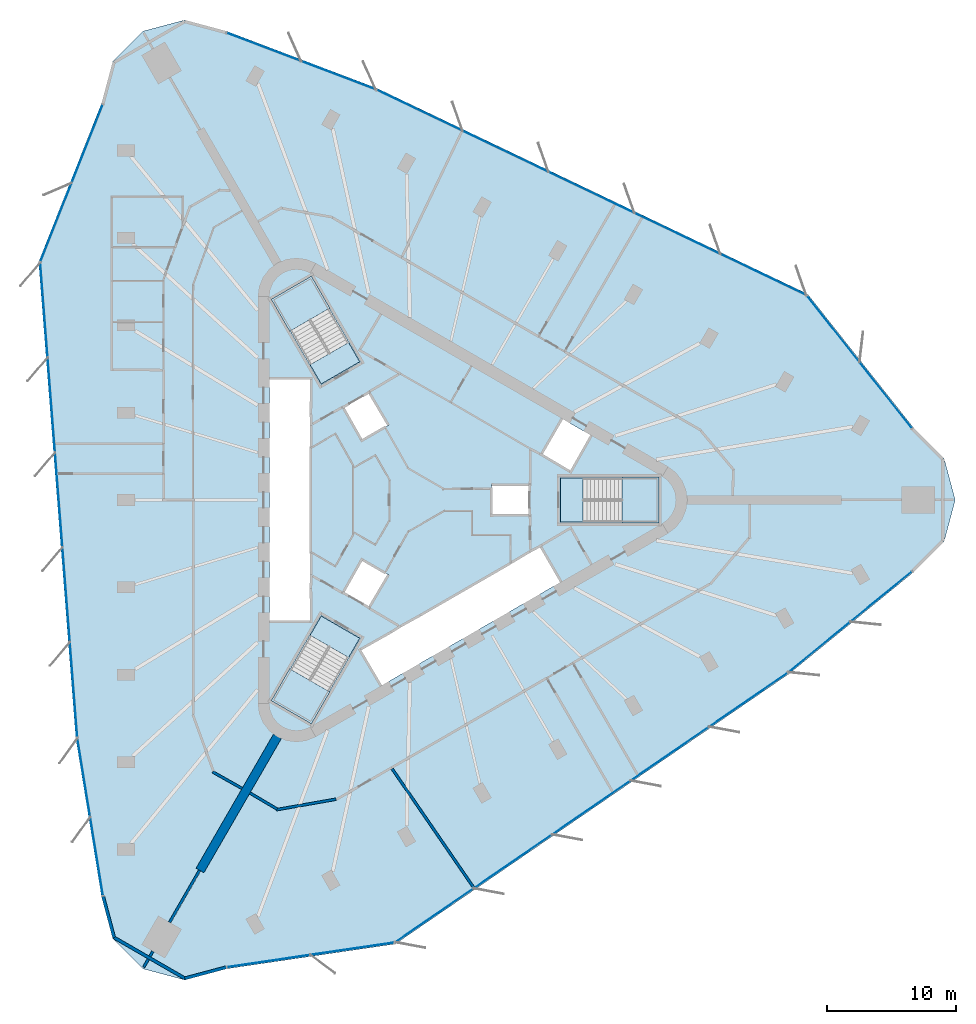
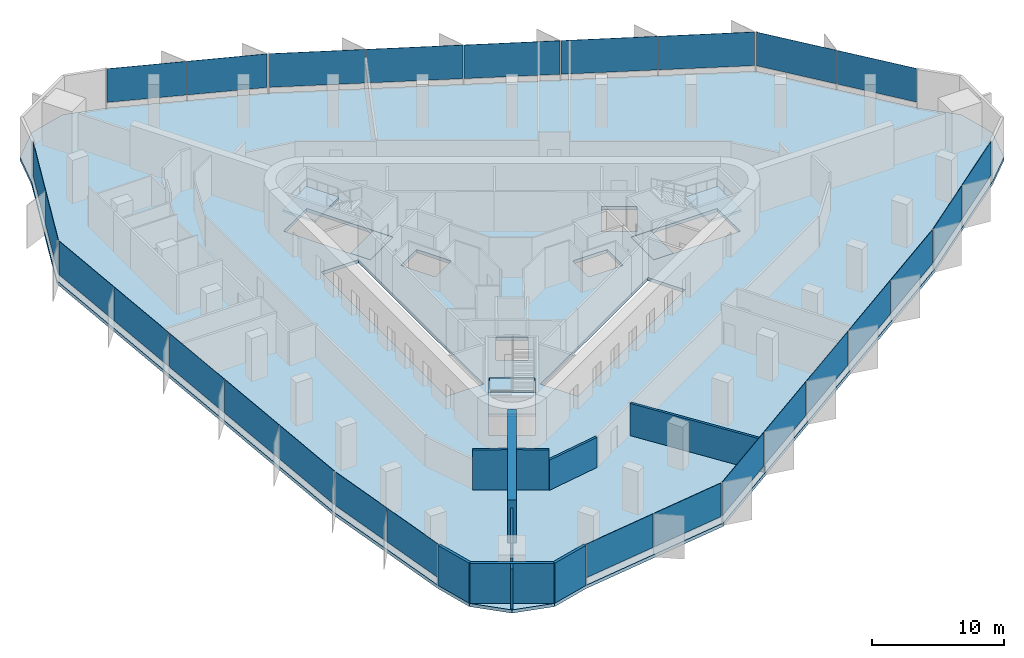
# One storey, part 7 of 13: 27 plates, 11 walls, 7 slabs, 12 elements without a shape of their own.
"""IFC4 building model written with IfcOpenShell, lengths in metres."""

from ifc_helpers import new_model, si_unit, direction, frame, frame_2d, origin, origin_2d, place, context, subcontext, project, spatial, polyline, rectangle, outline, extrude, material, layer, layer_set, type_object, element, aggregate, save


model = new_model("IFC4")

# Units and contexts
model_context = context("Model", 3, precision=1e-05, world=origin(), true_north=direction((0.0, 1.0)))
body_context = subcontext(model_context, "Body", "Model", "MODEL_VIEW")
ifc_project = project(units=[si_unit("LENGTHUNIT", "METRE"), si_unit("AREAUNIT", "SQUARE_METRE"), si_unit("VOLUMEUNIT", "CUBIC_METRE"), si_unit("PLANEANGLEUNIT", "RADIAN"), si_unit("MASSUNIT", "GRAM", prefix="KILO")], contexts=[model_context])

# Site, building, storey
site_placement = place(None, origin())
site = spatial("IfcSite", under=ifc_project, at=site_placement, CompositionType="ELEMENT")
building_placement = place(site_placement, origin())
building = spatial("IfcBuilding", under=site, at=building_placement, Name="Tanit Gate Tower", CompositionType="ELEMENT")
storey_placement = place(building_placement, frame((0.0, 0.0, 201.199951171875)))
storey = spatial("IfcBuildingStorey", under=building, at=storey_placement, Name="L44", CompositionType="ELEMENT", Elevation=201.199951171875)

# Slab
ifc_material_1 = material(Name="Concrete C35/45", Category="concrete")
ifc_layer_1 = layer(ifc_material_1, 0.300048828125)
ifc_layer_set_1 = layer_set([ifc_layer_1], Name="FLOOR SLAB 300 C35/45")
slab_type_1 = type_object("IfcSlabType", Name="FLOOR SLAB 300 C35/45", PredefinedType="FLOOR", material=ifc_layer_set_1)
slab_1_placement = place(storey_placement, frame((0.0, 0.0, -0.300048828125)))
element("IfcSlab", 1, at=slab_1_placement, inside=storey, type_object=slab_type_1, Name="FLOOR SLAB L44", PredefinedType="FLOOR", context=body_context, shape_type="SweptSolid", body=[
    extrude(outline(polyline([(38.729248046875, 5.590087890625), (41.091796875, 3.2275390625), (41.956787109375, 0.0), (41.091796875, -3.2275390625), (38.729248046875, -5.590087890625), (29.077392578125, -13.468994140625), (-1.43408203125, -34.410888671875), (-14.5234375, -36.335693359375), (-17.7509765625, -37.200439453125), (-20.978515625, -36.335693359375), (-23.341064453125, -33.972900390625), (-24.205810546875, -30.745361328125), (-26.202880859375, -18.447265625), (-29.08349609375, 18.447265625), (-24.205810546875, 30.745361328125), (-23.341064453125, 33.972900390625), (-20.978515625, 36.335693359375), (-17.7509765625, 37.200439453125), (-14.5234375, 36.335693359375), (-2.874267578125, 31.916015625), (30.517578125, 15.96337890625), (38.729248046875, 5.590087890625)]), holes=[polyline([(11.3701171875, 1.72998046875), (18.929931640625, 1.72998046875), (18.929931640625, -1.72998046875), (11.3701171875, -1.72998046875), (11.3701171875, 1.72998046875)]), polyline([(9.82080078125, 3.510009765625), (11.44580078125, 6.324462890625), (13.783935546875, 4.974609375), (12.158935546875, 2.159912109375), (9.82080078125, 3.510009765625)]), polyline([(-4.208984375, -11.60986328125), (9.82080078125, -3.510009765625), (11.44580078125, -6.324462890625), (-2.583984375, -14.424560546875), (-4.208984375, -11.60986328125)]), polyline([(6.0, 1.199951171875), (9.0, 1.199951171875), (9.0, -1.199951171875), (6.0, -1.199951171875), (6.0, 1.199951171875)]), polyline([(-5.539306640625, 7.194091796875), (-3.460693359375, 8.394287109375), (-1.960693359375, 5.796142578125), (-4.039306640625, 4.59619140625), (-5.539306640625, 7.194091796875)]), polyline([(-1.960693359375, -5.796142578125), (-3.460693359375, -8.394287109375), (-5.539306640625, -7.194091796875), (-4.039306640625, -4.59619140625), (-1.960693359375, -5.796142578125)]), polyline([(-10.963134765625, 15.52880859375), (-7.966796875, 17.2587890625), (-4.186767578125, 10.711669921875), (-7.18310546875, 8.981689453125), (-10.963134765625, 15.52880859375)]), polyline([(-4.186767578125, -10.711669921875), (-7.966796875, -17.2587890625), (-10.963134765625, -15.52880859375), (-7.18310546875, -8.981689453125), (-4.186767578125, -10.711669921875)]), polyline([(-11.199951171875, -9.449951171875), (-11.199951171875, 9.449951171875), (-7.949951171875, 9.449951171875), (-7.949951171875, -9.449951171875), (-11.199951171875, -9.449951171875)])]), origin(), (0.0, 0.0, 1.0), 0.300048828125),
])

# Curtain wall, plates
ifc_material_2 = material(Name="Aluminium bronze anodised and glass", Category="aluminium")
curtain_wall_type = type_object("IfcCurtainWallType", Name="Curtain wall typical mid", PredefinedType="NOTDEFINED", material=ifc_material_2)
curtain_wall_1_placement = place(storey_placement, origin())
curtain_wall_1 = element("IfcCurtainWall", 2, at=curtain_wall_1_placement, inside=storey, type_object=curtain_wall_type, Name="Curtain wall L44 NE1", PredefinedType="NOTDEFINED")
ifc_material_3 = material(Name="Glass tinted", Category="glass")
ifc_layer_2 = layer(ifc_material_3, 0.030029296875)
ifc_layer_set_2 = layer_set([ifc_layer_2], Name="Glass panel 30 typical mid")
plate_type = type_object("IfcPlateType", Name="Glass panel 30 typical mid", PredefinedType="CURTAIN_PANEL", material=ifc_layer_set_2)
plate_1_placement = place(storey_placement, frame((36.577392578125, 8.115234375, 0.60009765625), z_axis=(0.0, 0.0, 1.0), x_axis=(-0.620674676838, 0.784068202092, 0.0)))
plate_1 = element("IfcPlate", 3, at=plate_1_placement, type_object=plate_type, Name="Glass panel L44 NE1.1", PredefinedType="CURTAIN_PANEL", context=body_context, shape_type="SweptSolid", body=[
    extrude(rectangle(XDim=6.484619140625, YDim=0.030029296875, at=origin_2d()), origin(), (0.0, 0.0, 1.0), 3.10009765625),
])
plate_2_placement = place(storey_placement, frame((32.5029296875, 13.26220703125, 0.60009765625), z_axis=(0.0, 0.0, 1.0), x_axis=(-0.620674676838, 0.784068202092, 0.0)))
plate_2 = element("IfcPlate", 4, at=plate_2_placement, type_object=plate_type, Name="Glass panel L44 NE1.2", PredefinedType="CURTAIN_PANEL", context=body_context, shape_type="SweptSolid", body=[
    extrude(rectangle(XDim=6.484619140625, YDim=0.030029296875, at=origin_2d()), origin(), (0.0, 0.0, 1.0), 3.10009765625),
])
aggregate(curtain_wall_1, [plate_1, plate_2])

curtain_wall_2_placement = place(storey_placement, origin())
curtain_wall_2 = element("IfcCurtainWall", 5, at=curtain_wall_2_placement, inside=storey, type_object=curtain_wall_type, Name="Curtain wall L44 NE2", PredefinedType="NOTDEFINED")
plate_3_placement = place(storey_placement, frame((27.07568359375, 17.474853515625, 0.60009765625), z_axis=(0.0, 0.0, 1.0), x_axis=(-0.902317145415, 0.431072811819, 0.0)))
plate_3 = element("IfcPlate", 6, at=plate_3_placement, type_object=plate_type, Name="Glass panel L44 NE2.1", PredefinedType="CURTAIN_PANEL", context=body_context, shape_type="SweptSolid", body=[
    extrude(rectangle(XDim=7.298828125, YDim=0.030029296875, at=origin_2d()), origin(), (0.0, 0.0, 1.0), 3.10009765625),
])
plate_4_placement = place(storey_placement, frame((20.417724609375, 20.65576171875, 0.60009765625), z_axis=(0.0, 0.0, 1.0), x_axis=(-0.902317145415, 0.431072811819, 0.0)))
plate_4 = element("IfcPlate", 7, at=plate_4_placement, type_object=plate_type, Name="Glass panel L44 NE2.2", PredefinedType="CURTAIN_PANEL", context=body_context, shape_type="SweptSolid", body=[
    extrude(rectangle(XDim=7.298828125, YDim=0.030029296875, at=origin_2d()), origin(), (0.0, 0.0, 1.0), 3.10009765625),
])
plate_5_placement = place(storey_placement, frame((13.759521484375, 23.83642578125, 0.60009765625), z_axis=(0.0, 0.0, 1.0), x_axis=(-0.902317145415, 0.431072811819, 0.0)))
plate_5 = element("IfcPlate", 8, at=plate_5_placement, type_object=plate_type, Name="Glass panel L44 NE2.3", PredefinedType="CURTAIN_PANEL", context=body_context, shape_type="SweptSolid", body=[
    extrude(rectangle(XDim=7.298828125, YDim=0.030029296875, at=origin_2d()), origin(), (0.0, 0.0, 1.0), 3.10009765625),
])
plate_6_placement = place(storey_placement, frame((7.1015625, 27.017333984375, 0.60009765625), z_axis=(0.0, 0.0, 1.0), x_axis=(-0.902317145415, 0.431072811819, 0.0)))
plate_6 = element("IfcPlate", 9, at=plate_6_placement, type_object=plate_type, Name="Glass panel L44 NE2.4", PredefinedType="CURTAIN_PANEL", context=body_context, shape_type="SweptSolid", body=[
    extrude(rectangle(XDim=7.298828125, YDim=0.030029296875, at=origin_2d()), origin(), (0.0, 0.0, 1.0), 3.10009765625),
])
plate_7_placement = place(storey_placement, frame((0.443603515625, 30.197998046875, 0.60009765625), z_axis=(0.0, 0.0, 1.0), x_axis=(-0.902317145415, 0.431072811819, 0.0)))
plate_7 = element("IfcPlate", 10, at=plate_7_placement, type_object=plate_type, Name="Glass panel L44 NE2.5", PredefinedType="CURTAIN_PANEL", context=body_context, shape_type="SweptSolid", body=[
    extrude(rectangle(XDim=7.298828125, YDim=0.030029296875, at=origin_2d()), origin(), (0.0, 0.0, 1.0), 3.10009765625),
])
aggregate(curtain_wall_2, [plate_3, plate_4, plate_5, plate_6, plate_7])

curtain_wall_3_placement = place(storey_placement, origin())
curtain_wall_3 = element("IfcCurtainWall", 11, at=curtain_wall_3_placement, inside=storey, type_object=curtain_wall_type, Name="Curtain wall L44 NE3", PredefinedType="NOTDEFINED")
plate_8_placement = place(storey_placement, frame((-5.849853515625, 32.916748046875, 0.60009765625), z_axis=(0.0, 0.0, 1.0), x_axis=(-0.934976215335, 0.35471041253, 0.0)))
plate_8 = element("IfcPlate", 12, at=plate_8_placement, type_object=plate_type, Name="Glass panel L44 NE3.1", PredefinedType="CURTAIN_PANEL", context=body_context, shape_type="SweptSolid", body=[
    extrude(rectangle(XDim=6.10400390625, YDim=0.030029296875, at=origin_2d()), origin(), (0.0, 0.0, 1.0), 3.10009765625),
])
plate_9_placement = place(storey_placement, frame((-11.6318359375, 35.1103515625, 0.60009765625), z_axis=(0.0, 0.0, 1.0), x_axis=(-0.934976215335, 0.35471041253, 0.0)))
plate_9 = element("IfcPlate", 13, at=plate_9_placement, type_object=plate_type, Name="Glass panel L44 NE3.2", PredefinedType="CURTAIN_PANEL", context=body_context, shape_type="SweptSolid", body=[
    extrude(rectangle(XDim=6.10400390625, YDim=0.030029296875, at=origin_2d()), origin(), (0.0, 0.0, 1.0), 3.10009765625),
])
aggregate(curtain_wall_3, [plate_8, plate_9])

curtain_wall_4_placement = place(storey_placement, origin())
curtain_wall_4 = element("IfcCurtainWall", 14, at=curtain_wall_4_placement, inside=storey, type_object=curtain_wall_type, Name="Curtain wall L44 W1", PredefinedType="NOTDEFINED")
plate_10_placement = place(storey_placement, frame((-25.316650390625, 27.619384765625, 0.60009765625), z_axis=(0.0, 0.0, 1.0), x_axis=(-0.368685642892, -0.929554138674, 0.0)))
plate_10 = element("IfcPlate", 15, at=plate_10_placement, type_object=plate_type, Name="Glass panel L44 W1.1", PredefinedType="CURTAIN_PANEL", context=body_context, shape_type="SweptSolid", body=[
    extrude(rectangle(XDim=6.484619140625, YDim=0.030029296875, at=origin_2d()), origin(), (0.0, 0.0, 1.0), 3.10009765625),
])
plate_11_placement = place(storey_placement, frame((-27.73681640625, 21.51708984375, 0.60009765625), z_axis=(0.0, 0.0, 1.0), x_axis=(-0.368685642892, -0.929554138674, 0.0)))
plate_11 = element("IfcPlate", 16, at=plate_11_placement, type_object=plate_type, Name="Glass panel L44 W1.2", PredefinedType="CURTAIN_PANEL", context=body_context, shape_type="SweptSolid", body=[
    extrude(rectangle(XDim=6.484619140625, YDim=0.030029296875, at=origin_2d()), origin(), (0.0, 0.0, 1.0), 3.10009765625),
])
aggregate(curtain_wall_4, [plate_10, plate_11])

curtain_wall_5_placement = place(storey_placement, origin())
curtain_wall_5 = element("IfcCurtainWall", 17, at=curtain_wall_5_placement, inside=storey, type_object=curtain_wall_type, Name="Curtain wall L44 W2", PredefinedType="NOTDEFINED")
plate_12_placement = place(storey_placement, frame((-28.67138671875, 14.710693359375, 0.60009765625), z_axis=(0.0, 0.0, 1.0), x_axis=(0.077838566791, -0.996965976109, 0.0)))
plate_12 = element("IfcPlate", 18, at=plate_12_placement, type_object=plate_type, Name="Glass panel L44 W2.1", PredefinedType="CURTAIN_PANEL", context=body_context, shape_type="SweptSolid", body=[
    extrude(rectangle(XDim=7.298828125, YDim=0.030029296875, at=origin_2d()), origin(), (0.0, 0.0, 1.0), 3.10009765625),
])
plate_13_placement = place(storey_placement, frame((-28.09716796875, 7.354248046875, 0.60009765625), z_axis=(0.0, 0.0, 1.0), x_axis=(0.077838566791, -0.996965976109, 0.0)))
plate_13 = element("IfcPlate", 19, at=plate_13_placement, type_object=plate_type, Name="Glass panel L44 W2.2", PredefinedType="CURTAIN_PANEL", context=body_context, shape_type="SweptSolid", body=[
    extrude(rectangle(XDim=7.298828125, YDim=0.030029296875, at=origin_2d()), origin(), (0.0, 0.0, 1.0), 3.10009765625),
])
plate_14_placement = place(storey_placement, frame((-27.522705078125, -0.001953125, 0.60009765625), z_axis=(0.0, 0.0, 1.0), x_axis=(0.077838566791, -0.996965976109, 0.0)))
plate_14 = element("IfcPlate", 20, at=plate_14_placement, type_object=plate_type, Name="Glass panel L44 W2.3", PredefinedType="CURTAIN_PANEL", context=body_context, shape_type="SweptSolid", body=[
    extrude(rectangle(XDim=7.298828125, YDim=0.030029296875, at=origin_2d()), origin(), (0.0, 0.0, 1.0), 3.10009765625),
])
plate_15_placement = place(storey_placement, frame((-26.948486328125, -7.3583984375, 0.60009765625), z_axis=(0.0, 0.0, 1.0), x_axis=(0.077838566791, -0.996965976109, 0.0)))
plate_15 = element("IfcPlate", 21, at=plate_15_placement, type_object=plate_type, Name="Glass panel L44 W2.4", PredefinedType="CURTAIN_PANEL", context=body_context, shape_type="SweptSolid", body=[
    extrude(rectangle(XDim=7.298828125, YDim=0.030029296875, at=origin_2d()), origin(), (0.0, 0.0, 1.0), 3.10009765625),
])
plate_16_placement = place(storey_placement, frame((-26.3740234375, -14.71484375, 0.60009765625), z_axis=(0.0, 0.0, 1.0), x_axis=(0.077838566791, -0.996965976109, 0.0)))
plate_16 = element("IfcPlate", 22, at=plate_16_placement, type_object=plate_type, Name="Glass panel L44 W2.5", PredefinedType="CURTAIN_PANEL", context=body_context, shape_type="SweptSolid", body=[
    extrude(rectangle(XDim=7.298828125, YDim=0.030029296875, at=origin_2d()), origin(), (0.0, 0.0, 1.0), 3.10009765625),
])
aggregate(curtain_wall_5, [plate_12, plate_13, plate_14, plate_15, plate_16])

curtain_wall_6_placement = place(storey_placement, origin())
curtain_wall_6 = element("IfcCurtainWall", 23, at=curtain_wall_6_placement, inside=storey, type_object=curtain_wall_type, Name="Curtain wall L44 W3", PredefinedType="NOTDEFINED")
plate_17_placement = place(storey_placement, frame((-25.581787109375, -21.5244140625, 0.60009765625), z_axis=(0.0, 0.0, 1.0), x_axis=(0.16029987943, -0.98706836068, 0.0)))
plate_17 = element("IfcPlate", 24, at=plate_17_placement, type_object=plate_type, Name="Glass panel L44 W3.1", PredefinedType="CURTAIN_PANEL", context=body_context, shape_type="SweptSolid", body=[
    extrude(rectangle(XDim=6.10400390625, YDim=0.030029296875, at=origin_2d()), origin(), (0.0, 0.0, 1.0), 3.10009765625),
])
plate_18_placement = place(storey_placement, frame((-24.59033203125, -27.628662109375, 0.60009765625), z_axis=(0.0, 0.0, 1.0), x_axis=(0.16029987943, -0.98706836068, 0.0)))
plate_18 = element("IfcPlate", 25, at=plate_18_placement, type_object=plate_type, Name="Glass panel L44 W3.2", PredefinedType="CURTAIN_PANEL", context=body_context, shape_type="SweptSolid", body=[
    extrude(rectangle(XDim=6.10400390625, YDim=0.030029296875, at=origin_2d()), origin(), (0.0, 0.0, 1.0), 3.10009765625),
])
aggregate(curtain_wall_6, [plate_17, plate_18])

curtain_wall_7_placement = place(storey_placement, origin())
curtain_wall_7 = element("IfcCurtainWall", 26, at=curtain_wall_7_placement, inside=storey, type_object=curtain_wall_type, Name="Curtain wall L44 SE1", PredefinedType="NOTDEFINED")
plate_19_placement = place(storey_placement, frame((-11.2607421875, -35.734619140625, 0.60009765625), z_axis=(0.0, 0.0, 1.0), x_axis=(0.98936031973, 0.145485936582, 0.0)))
plate_19 = element("IfcPlate", 27, at=plate_19_placement, type_object=plate_type, Name="Glass panel L44 SE1.1", PredefinedType="CURTAIN_PANEL", context=body_context, shape_type="SweptSolid", body=[
    extrude(rectangle(XDim=6.484619140625, YDim=0.030029296875, at=origin_2d()), origin(), (0.0, 0.0, 1.0), 3.10009765625),
])
plate_20_placement = place(storey_placement, frame((-4.765869140625, -34.779541015625, 0.60009765625), z_axis=(0.0, 0.0, 1.0), x_axis=(0.98936031973, 0.145485936582, 0.0)))
plate_20 = element("IfcPlate", 28, at=plate_20_placement, type_object=plate_type, Name="Glass panel L44 SE1.2", PredefinedType="CURTAIN_PANEL", context=body_context, shape_type="SweptSolid", body=[
    extrude(rectangle(XDim=6.484619140625, YDim=0.030029296875, at=origin_2d()), origin(), (0.0, 0.0, 1.0), 3.10009765625),
])
aggregate(curtain_wall_7, [plate_19, plate_20])

curtain_wall_8_placement = place(storey_placement, origin())
curtain_wall_8 = element("IfcCurtainWall", 29, at=curtain_wall_8_placement, inside=storey, type_object=curtain_wall_type, Name="Curtain wall L44 SE2", PredefinedType="NOTDEFINED")
plate_21_placement = place(storey_placement, frame((1.595947265625, -32.185546875, 0.60009765625), z_axis=(0.0, 0.0, 1.0), x_axis=(0.824478578624, 0.56589316429, 0.0)))
plate_21 = element("IfcPlate", 30, at=plate_21_placement, type_object=plate_type, Name="Glass panel L44 SE2.1", PredefinedType="CURTAIN_PANEL", context=body_context, shape_type="SweptSolid", body=[
    extrude(rectangle(XDim=7.298828125, YDim=0.030029296875, at=origin_2d()), origin(), (0.0, 0.0, 1.0), 3.10009765625),
])
plate_22_placement = place(storey_placement, frame((7.679443359375, -28.010009765625, 0.60009765625), z_axis=(0.0, 0.0, 1.0), x_axis=(0.824478578624, 0.56589316429, 0.0)))
plate_22 = element("IfcPlate", 31, at=plate_22_placement, type_object=plate_type, Name="Glass panel L44 SE2.2", PredefinedType="CURTAIN_PANEL", context=body_context, shape_type="SweptSolid", body=[
    extrude(rectangle(XDim=7.298828125, YDim=0.030029296875, at=origin_2d()), origin(), (0.0, 0.0, 1.0), 3.10009765625),
])
plate_23_placement = place(storey_placement, frame((13.76318359375, -23.83447265625, 0.60009765625), z_axis=(0.0, 0.0, 1.0), x_axis=(0.824478578624, 0.56589316429, 0.0)))
plate_23 = element("IfcPlate", 32, at=plate_23_placement, type_object=plate_type, Name="Glass panel L44 SE2.3", PredefinedType="CURTAIN_PANEL", context=body_context, shape_type="SweptSolid", body=[
    extrude(rectangle(XDim=7.298828125, YDim=0.030029296875, at=origin_2d()), origin(), (0.0, 0.0, 1.0), 3.10009765625),
])
plate_24_placement = place(storey_placement, frame((19.846923828125, -19.65869140625, 0.60009765625), z_axis=(0.0, 0.0, 1.0), x_axis=(0.824478578624, 0.56589316429, 0.0)))
plate_24 = element("IfcPlate", 33, at=plate_24_placement, type_object=plate_type, Name="Glass panel L44 SE2.4", PredefinedType="CURTAIN_PANEL", context=body_context, shape_type="SweptSolid", body=[
    extrude(rectangle(XDim=7.298828125, YDim=0.030029296875, at=origin_2d()), origin(), (0.0, 0.0, 1.0), 3.10009765625),
])
plate_25_placement = place(storey_placement, frame((25.930419921875, -15.483154296875, 0.60009765625), z_axis=(0.0, 0.0, 1.0), x_axis=(0.824478578624, 0.56589316429, 0.0)))
plate_25 = element("IfcPlate", 34, at=plate_25_placement, type_object=plate_type, Name="Glass panel L44 SE2.5", PredefinedType="CURTAIN_PANEL", context=body_context, shape_type="SweptSolid", body=[
    extrude(rectangle(XDim=7.298828125, YDim=0.030029296875, at=origin_2d()), origin(), (0.0, 0.0, 1.0), 3.10009765625),
])
aggregate(curtain_wall_8, [plate_21, plate_22, plate_23, plate_24, plate_25])

curtain_wall_9_placement = place(storey_placement, origin())
curtain_wall_9 = element("IfcCurtainWall", 35, at=curtain_wall_9_placement, inside=storey, type_object=curtain_wall_type, Name="Curtain wall L44 SE3", PredefinedType="NOTDEFINED")
plate_26_placement = place(storey_placement, frame((31.431640625, -11.39208984375, 0.60009765625), z_axis=(0.0, 0.0, 1.0), x_axis=(0.774676335905, 0.63235794815, 0.0)))
plate_26 = element("IfcPlate", 36, at=plate_26_placement, type_object=plate_type, Name="Glass panel L44 SE3.1", PredefinedType="CURTAIN_PANEL", context=body_context, shape_type="SweptSolid", body=[
    extrude(rectangle(XDim=6.10400390625, YDim=0.030029296875, at=origin_2d()), origin(), (0.0, 0.0, 1.0), 3.10009765625),
])
plate_27_placement = place(storey_placement, frame((36.222412109375, -7.481689453125, 0.60009765625), z_axis=(0.0, 0.0, 1.0), x_axis=(0.774676335905, 0.63235794815, 0.0)))
plate_27 = element("IfcPlate", 37, at=plate_27_placement, type_object=plate_type, Name="Glass panel L44 SE3.2", PredefinedType="CURTAIN_PANEL", context=body_context, shape_type="SweptSolid", body=[
    extrude(rectangle(XDim=6.10400390625, YDim=0.030029296875, at=origin_2d()), origin(), (0.0, 0.0, 1.0), 3.10009765625),
])
aggregate(curtain_wall_9, [plate_26, plate_27])

# Stair, slab
ifc_material_4 = material(Name="Concrete C40/50", Category="concrete")
stair_type = type_object("IfcStairType", Name="INT-STAIR-EXIT", PredefinedType="HALF_TURN_STAIR", material=ifc_material_4)
stair_1_placement = place(storey_placement, origin())
stair_1 = element("IfcStair", 38, at=stair_1_placement, inside=storey, type_object=stair_type, Name="L44 STAIR S1", PredefinedType="HALF_TURN_STAIR")
ifc_material_5 = material(Name="Concrete C40/50", Category="concrete")
ifc_layer_3 = layer(ifc_material_5, 0.199951171875)
ifc_layer_set_3 = layer_set([ifc_layer_3], Name="INT-STAIR-LANDING")
slab_type_2 = type_object("IfcSlabType", Name="INT-STAIR-LANDING", PredefinedType="LANDING", material=ifc_layer_set_3)
slab_2_placement = place(storey_placement, frame((0.0, 0.0, 1.800048828125)))
slab_2 = element("IfcSlab", 39, at=slab_2_placement, type_object=slab_type_2, Name="S1 landing 1", PredefinedType="LANDING", context=body_context, shape_type="SweptSolid", body=[
    extrude(outline(polyline([(16.135986328125, -1.800048828125), (19.0, -1.800048828125), (19.0, 1.800048828125), (16.135986328125, 1.800048828125), (16.135986328125, -1.800048828125)])), origin(), (0.0, 0.0, 1.0), 0.199951171875),
])
aggregate(stair_1, [slab_2])

# Slab
slab_3_placement = place(storey_placement, frame((0.0, 0.0, -0.199951171875)))
element("IfcSlab", 40, at=slab_3_placement, inside=storey, type_object=slab_type_2, Name="S1 floor landing", PredefinedType="LANDING", context=body_context, shape_type="SweptSolid", body=[
    extrude(outline(polyline([(11.3798828125, -1.719970703125), (13.10498046875, -1.719970703125), (13.10498046875, 1.719970703125), (11.3798828125, 1.719970703125), (11.3798828125, -1.719970703125)])), origin(), (0.0, 0.0, 1.0), 0.199951171875),
])

# Stair, slab
stair_2_placement = place(storey_placement, origin())
stair_2 = element("IfcStair", 41, at=stair_2_placement, inside=storey, type_object=stair_type, Name="L44 STAIR S2", PredefinedType="HALF_TURN_STAIR")
slab_4_placement = place(storey_placement, frame((0.0, 0.0, 1.800048828125)))
slab_4 = element("IfcSlab", 42, at=slab_4_placement, type_object=slab_type_2, Name="S2 landing 1", PredefinedType="LANDING", context=body_context, shape_type="SweptSolid", body=[
    extrude(outline(polyline([(-6.5078125, 14.871826171875), (-7.941162109375, 17.3544921875), (-11.058837890625, 15.554443359375), (-9.62548828125, 13.07177734375), (-6.5078125, 14.871826171875)])), origin(), (0.0, 0.0, 1.0), 0.199951171875),
])
aggregate(stair_2, [slab_4])

# Slab
slab_5_placement = place(storey_placement, frame((0.0, 0.0, -0.199951171875)))
element("IfcSlab", 43, at=slab_5_placement, inside=storey, type_object=slab_type_2, Name="S2 floor landing", PredefinedType="LANDING", context=body_context, shape_type="SweptSolid", body=[
    extrude(outline(polyline([(-4.200439453125, 10.71533203125), (-5.0625, 12.20849609375), (-8.04150390625, 10.48828125), (-7.179443359375, 8.995361328125), (-4.200439453125, 10.71533203125)])), origin(), (0.0, 0.0, 1.0), 0.199951171875),
])

# Stair, slab
stair_3_placement = place(storey_placement, origin())
stair_3 = element("IfcStair", 44, at=stair_3_placement, inside=storey, type_object=stair_type, Name="L44 STAIR S3", PredefinedType="HALF_TURN_STAIR")
slab_6_placement = place(storey_placement, frame((0.0, 0.0, 1.800048828125)))
slab_6 = element("IfcSlab", 45, at=slab_6_placement, type_object=slab_type_2, Name="S3 landing 1", PredefinedType="LANDING", context=body_context, shape_type="SweptSolid", body=[
    extrude(outline(polyline([(-9.626953125, -13.07421875), (-11.058837890625, -15.554443359375), (-7.941162109375, -17.3544921875), (-6.509033203125, -14.874267578125), (-9.626953125, -13.07421875)])), origin(), (0.0, 0.0, 1.0), 0.199951171875),
])
aggregate(stair_3, [slab_6])

# Slab
slab_7_placement = place(storey_placement, frame((0.0, 0.0, -0.199951171875)))
element("IfcSlab", 46, at=slab_7_placement, inside=storey, type_object=slab_type_2, Name="S3 floor landing", PredefinedType="LANDING", context=body_context, shape_type="SweptSolid", body=[
    extrude(outline(polyline([(-7.179443359375, -8.995361328125), (-8.0419921875, -10.4892578125), (-5.06298828125, -12.209228515625), (-4.200439453125, -10.71533203125), (-7.179443359375, -8.995361328125)])), origin(), (0.0, 0.0, 1.0), 0.199951171875),
])

# Walls
ifc_material_6 = material(Name="Concrete C50/60", Category="concrete")
ifc_layer_4 = layer(ifc_material_6, 0.699951171875)
ifc_layer_set_4 = layer_set([ifc_layer_4], Name="BUTTRESS FIN 700 C50/60")
wall_type_1 = type_object("IfcWallType", Name="BUTTRESS FIN 700 C50/60", PredefinedType="SHEAR", material=ifc_layer_set_4)
wall_1_placement = place(storey_placement, frame((-10.574951171875, -18.31640625, 0.0), z_axis=(0.0, 0.0, 1.0), x_axis=(-0.500001138955, -0.866024746207, 0.0)))
element("IfcWall", 47, at=wall_1_placement, inside=storey, type_object=wall_type_1, Name="BUTTRESS FIN", PredefinedType="SHEAR", context=body_context, shape_type="SweptSolid", body=[
    extrude(rectangle(XDim=12.0068359375, YDim=0.699951171875, at=frame_2d((6.00341796875, 0.0))), origin(), (0.0, 0.0, 1.0), 4.0),
])
ifc_material_7 = material(Name="Concrete C30/37 with bronze anodised aluminium cladding", Category="concrete")
ifc_layer_5 = layer(ifc_material_7, 0.239990234375)
ifc_layer_set_5 = layer_set([ifc_layer_5], Name="Facade wall bronze clad 240")
wall_type_2 = type_object("IfcWallType", Name="Facade wall bronze clad 240", PredefinedType="SOLIDWALL", material=ifc_layer_set_5)
wall_2_placement = place(storey_placement, frame((-24.08837890625, -30.72021484375, 0.0), z_axis=(0.0, 0.0, 1.0), x_axis=(0.258830906222, -0.965922648034, 0.0)))
element("IfcWall", 48, at=wall_2_placement, inside=storey, type_object=wall_type_2, Name="Bronze-clad facade wall L44 SW.arc1", PredefinedType="SOLIDWALL", context=body_context, shape_type="SweptSolid", body=[
    extrude(rectangle(XDim=3.30322265625, YDim=0.239990234375, at=frame_2d((1.651611328125, 0.0))), origin(), (0.0, 0.0, 1.0), 3.699951171875),
])
wall_3_placement = place(storey_placement, frame((-23.2333984375, -33.910888671875, 0.0), z_axis=(0.0, 0.0, 1.0), x_axis=(0.86602503047, -0.5000006466, 0.0)))
element("IfcWall", 49, at=wall_3_placement, inside=storey, type_object=wall_type_2, Name="Bronze-clad facade wall L44 SW.arc2", PredefinedType="SOLIDWALL", context=body_context, shape_type="SweptSolid", body=[
    extrude(rectangle(XDim=6.33056640625, YDim=0.239990234375, at=frame_2d((3.165283203125, 0.0))), origin(), (0.0, 0.0, 1.0), 3.699951171875),
])
wall_4_placement = place(storey_placement, frame((-17.7509765625, -37.076171875, 0.0), z_axis=(0.0, 0.0, 1.0), x_axis=(0.965916501562, 0.258853842949, 0.0)))
element("IfcWall", 50, at=wall_4_placement, inside=storey, type_object=wall_type_2, Name="Bronze-clad facade wall L44 SW.arc3", PredefinedType="SOLIDWALL", context=body_context, shape_type="SweptSolid", body=[
    extrude(rectangle(XDim=3.316162109375, YDim=0.239990234375, at=frame_2d((1.658203125, 0.0))), origin(), (0.0, 0.0, 1.0), 3.699951171875),
])
ifc_material_8 = material(Name="Fire-rated gypsum board partition")
ifc_layer_6 = layer(ifc_material_8, 0.199951171875)
ifc_layer_set_6 = layer_set([ifc_layer_6], Name="INT-WALL-COMPARTMENT")
wall_type_3 = type_object("IfcWallType", Name="INT-WALL-COMPARTMENT", PredefinedType="PARTITIONING", material=ifc_layer_set_6)
wall_5_placement = place(storey_placement, frame((-15.597900390625, -21.071533203125, 0.0), z_axis=(0.0, 0.0, 1.0), x_axis=(0.871234731294, -0.490866624438, 0.0)))
element("IfcWall", 51, at=wall_5_placement, inside=storey, type_object=wall_type_3, Name="Wall Compartment W096", PredefinedType="PARTITIONING", context=body_context, shape_type="SweptSolid", body=[
    extrude(rectangle(XDim=2.62255859375, YDim=0.199951171875, at=frame_2d((1.311279296875, 0.0))), origin(), (0.0, 0.0, 1.0), 3.699951171875),
])
wall_6_placement = place(storey_placement, frame((-10.664794921875, -24.0048828125, 0.0), z_axis=(0.0, 0.0, 1.0), x_axis=(0.984806532296, 0.173655100553, 0.0)))
element("IfcWall", 52, at=wall_6_placement, inside=storey, type_object=wall_type_3, Name="Wall Compartment W113", PredefinedType="PARTITIONING", context=body_context, shape_type="SweptSolid", body=[
    extrude(rectangle(XDim=4.70556640625, YDim=0.199951171875, at=frame_2d((2.352783203125, 0.0))), origin(), (0.0, 0.0, 1.0), 2.780029296875),
])
wall_7_placement = place(storey_placement, frame((-12.706787109375, -22.708984375, 0.0), z_axis=(0.0, 0.0, 1.0), x_axis=(0.860754387085, -0.509020515415, 0.0)))
element("IfcWall", 53, at=wall_7_placement, inside=storey, type_object=wall_type_3, Name="Wall Compartment W114", PredefinedType="PARTITIONING", context=body_context, shape_type="SweptSolid", body=[
    extrude(rectangle(XDim=2.45703125, YDim=0.199951171875, at=frame_2d((1.228515625, 0.0))), origin(), (0.0, 0.0, 1.0), 3.699951171875),
])
wall_8_placement = place(storey_placement, frame((-20.938232421875, -36.2060546875, 0.0), z_axis=(0.0, 0.0, 1.0), x_axis=(0.49996696679, 0.866044474677, 0.0)))
element("IfcWall", 54, at=wall_8_placement, inside=storey, type_object=wall_type_3, Name="Wall Compartment W117", PredefinedType="PARTITIONING", context=body_context, shape_type="SweptSolid", body=[
    extrude(rectangle(XDim=0.72021484375, YDim=0.199951171875, at=frame_2d((0.360107421875, 0.0))), origin(), (0.0, 0.0, 1.0), 3.699951171875),
])
wall_9_placement = place(storey_placement, frame((-20.458251953125, -35.37451171875, 0.0), z_axis=(0.0, 0.0, 1.0), x_axis=(0.500384246316, 0.865803445384, 0.0)))
element("IfcWall", 55, at=wall_9_placement, inside=storey, type_object=wall_type_3, Name="Wall Compartment W117x1", PredefinedType="PARTITIONING", context=body_context, shape_type="SweptSolid", body=[
    extrude(rectangle(XDim=0.457763671875, YDim=0.199951171875, at=frame_2d((0.22900390625, 0.0))), origin(), (0.0, 0.0, 1.0), 3.699951171875),
])
wall_10_placement = place(storey_placement, frame((-18.929443359375, -32.7265625, 0.0), z_axis=(0.0, 0.0, 1.0), x_axis=(0.500007271693, 0.86602120543, 0.0)))
element("IfcWall", 56, at=wall_10_placement, inside=storey, type_object=wall_type_3, Name="Wall Compartment W118", PredefinedType="PARTITIONING", context=body_context, shape_type="SweptSolid", body=[
    extrude(rectangle(XDim=4.64990234375, YDim=0.199951171875, at=frame_2d((2.324951171875, 0.0))), origin(), (0.0, 0.0, 1.0), 3.27001953125),
])
wall_11_placement = place(storey_placement, frame((4.662353515625, -30.080810546875, 0.0), z_axis=(0.0, 0.0, 1.0), x_axis=(-0.565886599798, 0.824483084223, 0.0)))
element("IfcWall", 57, at=wall_11_placement, inside=storey, type_object=wall_type_3, Name="Wall Compartment W135", PredefinedType="PARTITIONING", context=body_context, shape_type="SweptSolid", body=[
    extrude(rectangle(XDim=11.2158203125, YDim=0.199951171875, at=frame_2d((5.60791015625, 0.0))), origin(), (0.0, 0.0, 1.0), 2.97998046875),
])

save(model, "model.ifc")
